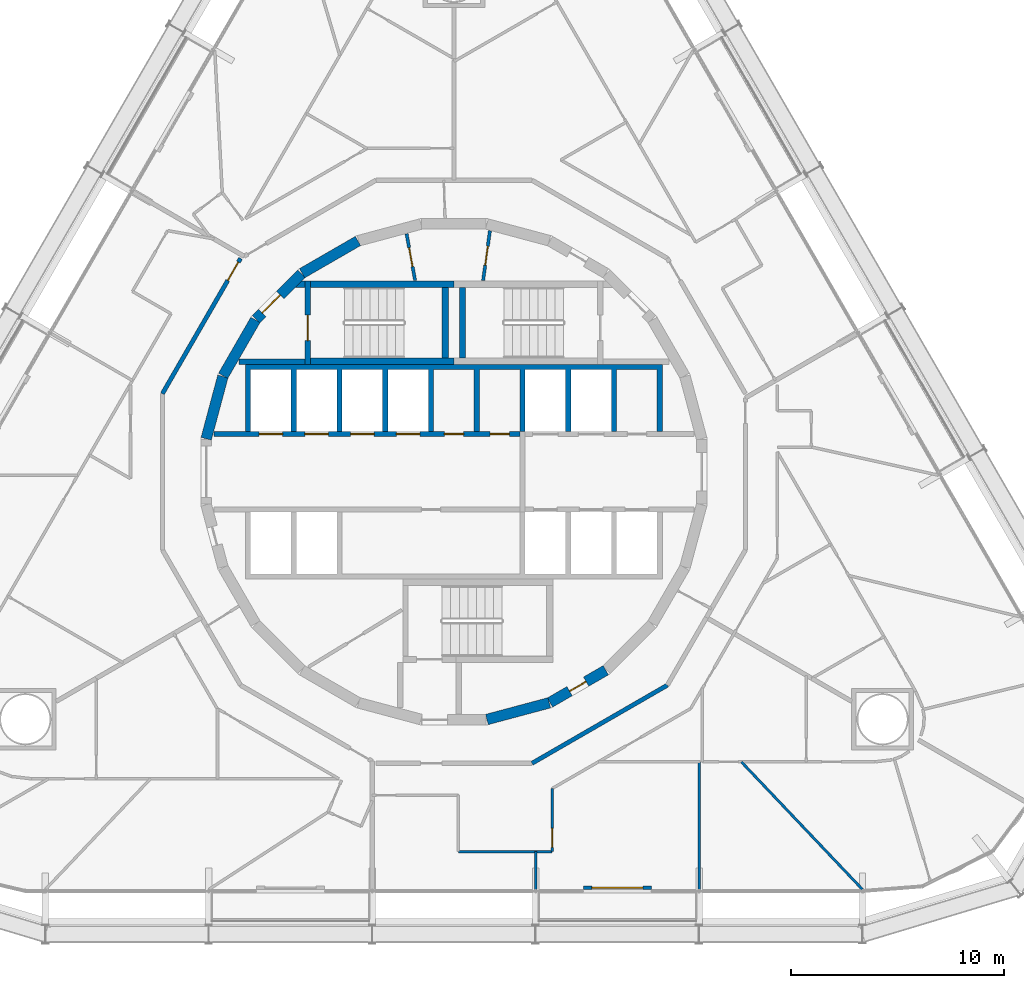
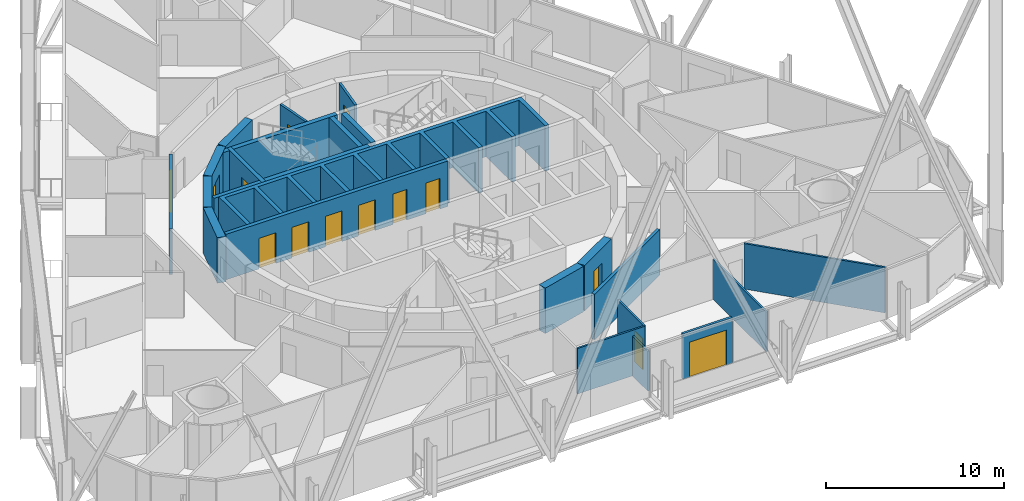
# One storey, part 17 of 22: 25 walls, 14 doors, 14 openings.
"""IFC4 building model written with IfcOpenShell, lengths in metres."""

from ifc_helpers import new_model, si_unit, direction, frame, frame_2d, origin, place, context, subcontext, project, spatial, polyline, rectangle, outline, extrude, material, layer, layer_set, type_object, element, fill, save


model = new_model("IFC4")

# Units and contexts
model_context = context("Model", 3, precision=1e-05, world=origin(), true_north=direction((0.0, 1.0)))
body_context = subcontext(model_context, "Body", "Model", "MODEL_VIEW")
ifc_project = project(units=[si_unit("LENGTHUNIT", "METRE"), si_unit("AREAUNIT", "SQUARE_METRE"), si_unit("VOLUMEUNIT", "CUBIC_METRE"), si_unit("PLANEANGLEUNIT", "RADIAN"), si_unit("MASSUNIT", "GRAM", prefix="KILO")], contexts=[model_context])

# Site, building, storey
site_placement = place(None, origin())
site = spatial("IfcSite", under=ifc_project, at=site_placement, CompositionType="ELEMENT")
building_placement = place(site_placement, origin())
building = spatial("IfcBuilding", under=site, at=building_placement, Name="Spindle Arch Residences", CompositionType="ELEMENT")
storey_placement = place(building_placement, frame((0.0, 0.0, 52.39990234375)))
storey = spatial("IfcBuildingStorey", under=building, at=storey_placement, Name="L11", CompositionType="ELEMENT", Elevation=52.39990234375)

# Wall
ifc_material_1 = material(Name="Concrete C50/60", Category="concrete")
ifc_layer_1 = layer(ifc_material_1, 0.5)
ifc_layer_set_1 = layer_set([ifc_layer_1], Name="Core outline wall 500")
wall_type_1 = type_object("IfcWallType", Name="Core outline wall 500", PredefinedType="SHEAR", material=ifc_layer_set_1)
wall_1_placement = place(storey_placement, frame((1.5498046875, -11.642822265625, 0.0), z_axis=(0.0, 0.0, 1.0), x_axis=(0.965948410781, 0.258734743916, 0.0)))
element("IfcWall", 1, at=wall_1_placement, inside=storey, type_object=wall_type_1, Name="Core outline wall 1", PredefinedType="SHEAR", context=body_context, shape_type="SweptSolid", body=[
    extrude(rectangle(XDim=3.03271484375, YDim=0.5, at=frame_2d((1.516357421875, 0.0))), origin(), (0.0, 0.0, 1.0), 3.1201171875),
])

# Wall, opening, door
wall_2_placement = place(storey_placement, frame((4.510498046875, -10.84521484375, 0.0), z_axis=(0.0, 0.0, 1.0), x_axis=(0.865975092491, 0.500087131594, 0.0)))
wall_2 = element("IfcWall", 2, at=wall_2_placement, inside=storey, type_object=wall_type_1, Name="Core outline wall 2", PredefinedType="SHEAR", context=body_context, shape_type="SweptSolid", body=[
    extrude(rectangle(XDim=3.03271484375, YDim=0.5, at=frame_2d((1.516357421875, 0.0))), origin(), (0.0, 0.0, 1.0), 3.1201171875),
])
opening_1_placement = place(wall_2_placement, frame((1.06640625, 0.0, 0.0)))
opening_1 = element("IfcOpeningElement", 3, at=opening_1_placement, cuts=wall_2, Name="Opening R1B0-WD08", PredefinedType="OPENING", context=body_context, shape_type="SweptSolid", body=[
    extrude(rectangle(XDim=0.89990234375, YDim=2.10009765625, at=frame_2d((0.449951171875, 1.050048828125))), frame((0.0, 0.260009765625, 0.0), z_axis=(0.0, -1.0, 0.0), x_axis=(1.0, 0.0, 0.0)), (0.0, 0.0, 1.0), 0.52001953125),
])
ifc_material_2 = material(Name="Steel, fire-resisting door", Category="steel")
door_type_1 = type_object("IfcDoorType", Name="Service room door 900x2100", OperationType="SINGLE_SWING_LEFT", PredefinedType="DOOR", material=ifc_material_2)
door_1_placement = place(opening_1_placement, origin())
door_1 = element("IfcDoor", 4, at=door_1_placement, inside=storey, type_object=door_type_1, Name="Service room door R1B0-WD08", OperationType="SINGLE_SWING_LEFT", OverallHeight=2.10009765625, OverallWidth=0.89990234375, PredefinedType="DOOR", context=body_context, shape_type="SweptSolid", body=[
    extrude(rectangle(XDim=0.89990234375, YDim=2.10009765625, at=frame_2d((0.449951171875, 1.050048828125))), frame((0.0, 0.02490234375, 0.0), z_axis=(0.0, -1.0, 0.0), x_axis=(1.0, 0.0, 0.0)), (0.0, 0.0, 1.0), 0.050048828125),
])
fill(opening_1, door_1)

# Wall
wall_3_placement = place(storey_placement, frame((-4.510498046875, 10.84521484375, 0.0), z_axis=(0.0, 0.0, 1.0), x_axis=(-0.865975092491, -0.500087131594, 0.0)))
element("IfcWall", 5, at=wall_3_placement, inside=storey, type_object=wall_type_1, Name="Core outline wall 14", PredefinedType="SHEAR", context=body_context, shape_type="SweptSolid", body=[
    extrude(rectangle(XDim=3.03271484375, YDim=0.5, at=frame_2d((1.516357421875, 0.0))), origin(), (0.0, 0.0, 1.0), 3.1201171875),
])

# Wall, opening, door
wall_4_placement = place(storey_placement, frame((-7.163818359375, 9.30810546875, 0.0), z_axis=(0.0, 0.0, 1.0), x_axis=(-0.707106781187, -0.707106781187, 0.0)))
wall_4 = element("IfcWall", 6, at=wall_4_placement, inside=storey, type_object=wall_type_1, Name="Core outline wall 15", PredefinedType="SHEAR", context=body_context, shape_type="SweptSolid", body=[
    extrude(rectangle(XDim=3.032470703125, YDim=0.5, at=frame_2d((1.51611328125, 0.0))), origin(), (0.0, 0.0, 1.0), 3.1201171875),
])
opening_2_placement = place(wall_4_placement, frame((1.416259765625, 0.0, 0.0)))
opening_2 = element("IfcOpeningElement", 7, at=opening_2_placement, cuts=wall_4, Name="Opening R1B0-AD02", PredefinedType="OPENING", context=body_context, shape_type="SweptSolid", body=[
    extrude(rectangle(XDim=1.199951171875, YDim=2.10009765625, at=frame_2d((0.60009765625, 1.050048828125))), frame((0.0, 0.260009765625, 0.0), z_axis=(0.0, -1.0, 0.0), x_axis=(1.0, 0.0, 0.0)), (0.0, 0.0, 1.0), 0.52001953125),
])
ifc_material_3 = material(Name="Steel, fire-resisting door", Category="steel")
door_type_2 = type_object("IfcDoorType", Name="Stair airlock door 1200x2100", OperationType="SINGLE_SWING_LEFT", PredefinedType="DOOR", material=ifc_material_3)
door_2_placement = place(opening_2_placement, origin())
door_2 = element("IfcDoor", 8, at=door_2_placement, inside=storey, type_object=door_type_2, Name="Stair airlock door R1B0-AD02", OperationType="SINGLE_SWING_RIGHT", OverallHeight=2.10009765625, OverallWidth=1.199951171875, PredefinedType="DOOR", context=body_context, shape_type="SweptSolid", body=[
    extrude(rectangle(XDim=1.199951171875, YDim=2.10009765625, at=frame_2d((0.60009765625, 1.050048828125))), frame((0.0, 0.02490234375, 0.0), z_axis=(0.0, -1.0, 0.0), x_axis=(1.0, 0.0, 0.0)), (0.0, 0.0, 1.0), 0.050048828125),
])
fill(opening_2, door_2)

# Walls
for number, where, z_axis, x_axis, name in (
    (9, (-9.32861328125, 7.13671875, 0.0), (0.0, 0.0, 1.0), (-0.500087131594, -0.865975092491, 0.0), "Core outline wall 16"),
    (10, (-10.858154296875, 4.479248046875, 0.0), (0.0, 0.0, 1.0), (-0.258734743916, -0.965948410781, 0.0), "Core outline wall 17"),
):
    element("IfcWall", number, at=place(storey_placement, frame(where, z_axis=z_axis, x_axis=x_axis)), inside=storey, type_object=wall_type_1, Name=name, PredefinedType="SHEAR", context=body_context, shape_type="SweptSolid", body=[
        extrude(rectangle(XDim=3.03271484375, YDim=0.5, at=frame_2d((1.516357421875, 0.0))), origin(), (0.0, 0.0, 1.0), 3.1201171875),
    ])

# Wall, opening, door
ifc_material_4 = material(Name="Calcium silicate block, plastered")
ifc_layer_2 = layer(ifc_material_4, 0.199951171875)
ifc_layer_set_2 = layer_set([ifc_layer_2], Name="Corridor wall 200")
wall_type_2 = type_object("IfcWallType", Name="Corridor wall 200", PredefinedType="STANDARD", material=ifc_layer_set_2)
wall_5_placement = place(storey_placement, frame((-10.029052734375, 10.029052734375, 0.0), z_axis=(0.0, 0.0, 1.0), x_axis=(-0.500001669485, -0.866024439905, 0.0)))
wall_5 = element("IfcWall", 11, at=wall_5_placement, inside=storey, type_object=wall_type_2, Name="Corridor wall R1B0-W010", PredefinedType="STANDARD", context=body_context, shape_type="SweptSolid", body=[
    extrude(rectangle(XDim=7.341796875, YDim=0.199951171875, at=frame_2d((3.6708984375, 0.0))), origin(), (0.0, 0.0, 1.0), 3.1201171875),
])
opening_3_placement = place(wall_5_placement, frame((0.199951171875, 0.0, 0.0)))
opening_3 = element("IfcOpeningElement", 12, at=opening_3_placement, cuts=wall_5, Name="Opening R1B0-FD03", PredefinedType="OPENING", context=body_context, shape_type="SweptSolid", body=[
    extrude(rectangle(XDim=1.0, YDim=2.10009765625, at=frame_2d((0.5, 1.050048828125))), frame((0.0, 0.10986328125, 0.0), z_axis=(0.0, -1.0, 0.0), x_axis=(1.0, 0.0, 0.0)), (0.0, 0.0, 1.0), 0.219970703125),
])
ifc_material_5 = material(Name="Timber, fire-resisting door set", Category="wood")
door_type_3 = type_object("IfcDoorType", Name="Flat entrance door 1000x2100", OperationType="NOTDEFINED", PredefinedType="DOOR", material=ifc_material_5)
door_3_placement = place(opening_3_placement, origin())
door_3 = element("IfcDoor", 13, at=door_3_placement, inside=storey, type_object=door_type_3, Name="Flat entrance door R1B0-FD03", OperationType="SINGLE_SWING_LEFT", OverallHeight=2.10009765625, OverallWidth=1.0, PredefinedType="DOOR", context=body_context, shape_type="SweptSolid", body=[
    extrude(rectangle(XDim=1.0, YDim=2.10009765625, at=frame_2d((0.5, 1.050048828125))), frame((0.0, 0.02490234375, 0.0), z_axis=(0.0, -1.0, 0.0), x_axis=(1.0, 0.0, 0.0)), (0.0, 0.0, 1.0), 0.050048828125),
])
fill(opening_3, door_3)

# Walls
wall_6_placement = place(storey_placement, frame((3.6708984375, -13.699951171875, 0.0), z_axis=(0.0, 0.0, 1.0), x_axis=(0.866024439905, 0.500001669485, 0.0)))
element("IfcWall", 14, at=wall_6_placement, inside=storey, type_object=wall_type_2, Name="Corridor wall R1B0-W015", PredefinedType="STANDARD", context=body_context, shape_type="SweptSolid", body=[
    extrude(rectangle(XDim=7.341796875, YDim=0.199951171875, at=frame_2d((3.6708984375, 0.0))), origin(), (0.0, 0.0, 1.0), 3.1201171875),
])
ifc_material_6 = material(Name="Plasterboard on steel studs", Category="steel")
ifc_layer_3 = layer(ifc_material_6, 0.1201171875)
ifc_layer_set_3 = layer_set([ifc_layer_3], Name="Flat partition 120")
wall_type_3 = type_object("IfcWallType", Name="Flat partition 120", PredefinedType="PARTITIONING", material=ifc_layer_set_3)
wall_7_placement = place(storey_placement, frame((0.21240234375, -17.853271484375, 0.0), z_axis=(0.0, 0.0, 1.0), x_axis=(1.0, 0.0, 0.0)))
element("IfcWall", 15, at=wall_7_placement, inside=storey, type_object=wall_type_3, Name="Flat partition R1B0-W096", PredefinedType="PARTITIONING", context=body_context, shape_type="SweptSolid", body=[
    extrude(rectangle(XDim=4.400146484375, YDim=0.1201171875, at=frame_2d((2.2001953125, 0.0))), origin(), (0.0, 0.0, 1.0), 3.1201171875),
])

# Wall, opening, door
wall_8_placement = place(storey_placement, frame((4.612548828125, -17.853271484375, 0.0), z_axis=(0.0, 0.0, 1.0), x_axis=(0.0, 1.0, 0.0)))
wall_8 = element("IfcWall", 16, at=wall_8_placement, inside=storey, type_object=wall_type_3, Name="Flat partition R1B0-W097", PredefinedType="PARTITIONING", context=body_context, shape_type="SweptSolid", body=[
    extrude(rectangle(XDim=2.96484375, YDim=0.1201171875, at=frame_2d((1.482421875, 0.0))), origin(), (0.0, 0.0, 1.0), 3.1201171875),
])
opening_4_placement = place(wall_8_placement, frame((0.199951171875, 0.0, 0.0)))
opening_4 = element("IfcOpeningElement", 17, at=opening_4_placement, cuts=wall_8, Name="Opening R1B0-ID25", PredefinedType="OPENING", context=body_context, shape_type="SweptSolid", body=[
    extrude(rectangle(XDim=0.89990234375, YDim=2.10009765625, at=frame_2d((0.449951171875, 1.050048828125))), frame((0.0, 0.070068359375, 0.0), z_axis=(0.0, -1.0, 0.0), x_axis=(1.0, 0.0, 0.0)), (0.0, 0.0, 1.0), 0.14013671875),
])
ifc_material_7 = material(Name="Timber door set", Category="wood")
door_type_4 = type_object("IfcDoorType", Name="Room door 900x2100", OperationType="NOTDEFINED", PredefinedType="DOOR", material=ifc_material_7)
door_4_placement = place(opening_4_placement, origin())
door_4 = element("IfcDoor", 18, at=door_4_placement, inside=storey, type_object=door_type_4, Name="Room door R1B0-ID25", OperationType="SINGLE_SWING_RIGHT", OverallHeight=2.10009765625, OverallWidth=0.89990234375, PredefinedType="DOOR", context=body_context, shape_type="SweptSolid", body=[
    extrude(rectangle(XDim=0.89990234375, YDim=2.10009765625, at=frame_2d((0.449951171875, 1.050048828125))), frame((0.0, 0.02490234375, 0.0), z_axis=(0.0, -1.0, 0.0), x_axis=(1.0, 0.0, 0.0)), (0.0, 0.0, 1.0), 0.050048828125),
])
fill(opening_4, door_4)

# Walls
wall_9_placement = place(storey_placement, frame((19.2001953125, -19.6298828125, 0.0), z_axis=(0.0, 0.0, 1.0), x_axis=(-0.688544699396, 0.72519390299, 0.0)))
element("IfcWall", 19, at=wall_9_placement, inside=storey, type_object=wall_type_3, Name="Flat partition R1B0-W104", PredefinedType="PARTITIONING", context=body_context, shape_type="SweptSolid", body=[
    extrude(rectangle(XDim=8.273681640625, YDim=0.1201171875, at=frame_2d((4.13671875, 0.0))), origin(), (0.0, 0.0, 1.0), 3.1201171875),
])
ifc_material_8 = material(Name="Plasterboard on steel studs", Category="steel")
ifc_layer_4 = layer(ifc_material_8, 0.1201171875)
ifc_layer_set_4 = layer_set([ifc_layer_4], Name="Flat partition 120 under beam 2730")
wall_type_4 = type_object("IfcWallType", Name="Flat partition 120 under beam 2730", PredefinedType="PARTITIONING", material=ifc_layer_set_4)
wall_10_placement = place(storey_placement, frame((3.840087890625, -19.6298828125, 0.0), z_axis=(0.0, 0.0, 1.0), x_axis=(0.0, 1.0, 0.0)))
element("IfcWall", 20, at=wall_10_placement, inside=storey, type_object=wall_type_4, Name="Flat partition R1B0-W100", PredefinedType="PARTITIONING", context=body_context, shape_type="SweptSolid", body=[
    extrude(rectangle(XDim=1.776611328125, YDim=0.1201171875, at=frame_2d((0.88818359375, 0.0))), origin(), (0.0, 0.0, 1.0), 2.72998046875),
])
wall_11_placement = place(storey_placement, frame((11.52001953125, -19.6298828125, 0.0), z_axis=(0.0, 0.0, 1.0), x_axis=(0.0, 1.0, 0.0)))
element("IfcWall", 21, at=wall_11_placement, inside=storey, type_object=wall_type_4, Name="Flat partition R1B0-W102", PredefinedType="PARTITIONING", context=body_context, shape_type="SweptSolid", body=[
    extrude(rectangle(XDim=6.0, YDim=0.1201171875, at=frame_2d((3.0, 0.0))), origin(), (0.0, 0.0, 1.0), 2.72998046875),
])

# Wall, opening, door
ifc_material_9 = material(Name="Non-combustible mineral wool insulated aluminium faced external wall (K0)", Category="aluminium")
ifc_layer_5 = layer(ifc_material_9, 0.159912109375)
ifc_layer_set_5 = layer_set([ifc_layer_5], Name="Insulated external wall panel 160")
wall_type_5 = type_object("IfcWallType", Name="Insulated external wall panel 160", PredefinedType="STANDARD", material=ifc_layer_set_5)
wall_12_placement = place(storey_placement, frame((6.080078125, -19.5498046875, 0.0), z_axis=(0.0, 0.0, 1.0), x_axis=(1.0, 0.0, 0.0)))
wall_12 = element("IfcWall", 22, at=wall_12_placement, inside=storey, type_object=wall_type_5, Name="External wall L11 bay 1", PredefinedType="STANDARD", context=body_context, shape_type="SweptSolid", body=[
    extrude(rectangle(XDim=3.199951171875, YDim=0.159912109375, at=frame_2d((1.60009765625, 0.0))), origin(), (0.0, 0.0, 1.0), 3.1201171875),
])
opening_5_placement = place(wall_12_placement, frame((0.39990234375, 0.0, 0.0)))
opening_5 = element("IfcOpeningElement", 23, at=opening_5_placement, cuts=wall_12, Name="Opening BD01", PredefinedType="OPENING", context=body_context, shape_type="SweptSolid", body=[
    extrude(rectangle(XDim=2.39990234375, YDim=2.39990234375, at=frame_2d((1.199951171875, 1.199951171875))), frame((0.0, 0.08984375, 0.0), z_axis=(0.0, -1.0, 0.0), x_axis=(1.0, 0.0, 0.0)), (0.0, 0.0, 1.0), 0.179931640625),
])
ifc_material_10 = material(Name="Bronze aluminium frame, tinted double glazing", Category="aluminium")
door_type_5 = type_object("IfcDoorType", Name="Sliding glazed balcony door 2400x2400", OperationType="DOUBLE_DOOR_SLIDING", PredefinedType="DOOR", material=ifc_material_10)
door_5_placement = place(opening_5_placement, origin())
door_5 = element("IfcDoor", 24, at=door_5_placement, inside=storey, type_object=door_type_5, Name="Balcony door BD01", OperationType="DOUBLE_DOOR_SLIDING", OverallHeight=2.39990234375, OverallWidth=2.39990234375, PredefinedType="DOOR", context=body_context, shape_type="SweptSolid", body=[
    extrude(rectangle(XDim=2.39990234375, YDim=2.39990234375, at=frame_2d((1.199951171875, 1.199951171875))), frame((0.0, 0.02490234375, 0.0), z_axis=(0.0, -1.0, 0.0), x_axis=(1.0, 0.0, 0.0)), (0.0, 0.0, 1.0), 0.050048828125),
])
fill(opening_5, door_5)

# Wall, openings, doors
ifc_material_11 = material(Name="Concrete C50/60", Category="concrete")
ifc_layer_6 = layer(ifc_material_11, 0.25)
ifc_layer_set_6 = layer_set([ifc_layer_6], Name="Lift shaft wall 250")
wall_type_6 = type_object("IfcWallType", Name="Lift shaft wall 250", PredefinedType="SHEAR", material=ifc_layer_set_6)
wall_13_placement = place(storey_placement, frame((-11.280029296875, 1.77490234375, 0.0), z_axis=(0.0, 0.0, 1.0), x_axis=(1.0, 0.0, 0.0)))
wall_13 = element("IfcWall", 25, at=wall_13_placement, inside=storey, type_object=wall_type_6, Name="Lift shaft front wall NW", PredefinedType="SHEAR", context=body_context, shape_type="SweptSolid", body=[
    extrude(rectangle(XDim=14.380126953125, YDim=0.25, at=frame_2d((7.18994140625, 0.0))), origin(), (0.0, 0.0, 1.0), 3.1201171875),
])
opening_6_placement = place(wall_13_placement, frame((2.1298828125, 0.0, 0.0)))
opening_6 = element("IfcOpeningElement", 26, at=opening_6_placement, cuts=wall_13, Name="Opening R1B0-LD01", PredefinedType="OPENING", context=body_context, shape_type="SweptSolid", body=[
    extrude(rectangle(XDim=1.10009765625, YDim=2.10009765625, at=frame_2d((0.550048828125, 1.050048828125))), frame((0.0, 0.135009765625, 0.0), z_axis=(0.0, -1.0, 0.0), x_axis=(1.0, 0.0, 0.0)), (0.0, 0.0, 1.0), 0.27001953125),
])
opening_7_placement = place(wall_13_placement, frame((4.280029296875, 0.0, 0.0)))
opening_7 = element("IfcOpeningElement", 27, at=opening_7_placement, cuts=wall_13, Name="Opening R1B0-LD02", PredefinedType="OPENING", context=body_context, shape_type="SweptSolid", body=[
    extrude(rectangle(XDim=1.10009765625, YDim=2.10009765625, at=frame_2d((0.550048828125, 1.050048828125))), frame((0.0, 0.135009765625, 0.0), z_axis=(0.0, -1.0, 0.0), x_axis=(1.0, 0.0, 0.0)), (0.0, 0.0, 1.0), 0.27001953125),
])
opening_8_placement = place(wall_13_placement, frame((6.429931640625, 0.0, 0.0)))
opening_8 = element("IfcOpeningElement", 28, at=opening_8_placement, cuts=wall_13, Name="Opening R1B0-LD03", PredefinedType="OPENING", context=body_context, shape_type="SweptSolid", body=[
    extrude(rectangle(XDim=1.10009765625, YDim=2.10009765625, at=frame_2d((0.550048828125, 1.050048828125))), frame((0.0, 0.135009765625, 0.0), z_axis=(0.0, -1.0, 0.0), x_axis=(1.0, 0.0, 0.0)), (0.0, 0.0, 1.0), 0.27001953125),
])
opening_9_placement = place(wall_13_placement, frame((8.580078125, 0.0, 0.0)))
opening_9 = element("IfcOpeningElement", 29, at=opening_9_placement, cuts=wall_13, Name="Opening R1B0-LD04", PredefinedType="OPENING", context=body_context, shape_type="SweptSolid", body=[
    extrude(rectangle(XDim=1.10009765625, YDim=2.10009765625, at=frame_2d((0.550048828125, 1.050048828125))), frame((0.0, 0.135009765625, 0.0), z_axis=(0.0, -1.0, 0.0), x_axis=(1.0, 0.0, 0.0)), (0.0, 0.0, 1.0), 0.27001953125),
])
opening_10_placement = place(wall_13_placement, frame((10.830078125, 0.0, 0.0)))
opening_10 = element("IfcOpeningElement", 30, at=opening_10_placement, cuts=wall_13, Name="Opening R1B0-WD01", PredefinedType="OPENING", context=body_context, shape_type="SweptSolid", body=[
    extrude(rectangle(XDim=0.89990234375, YDim=2.10009765625, at=frame_2d((0.449951171875, 1.050048828125))), frame((0.0, 0.135009765625, 0.0), z_axis=(0.0, -1.0, 0.0), x_axis=(1.0, 0.0, 0.0)), (0.0, 0.0, 1.0), 0.27001953125),
])
opening_11_placement = place(wall_13_placement, frame((12.97998046875, 0.0, 0.0)))
opening_11 = element("IfcOpeningElement", 31, at=opening_11_placement, cuts=wall_13, Name="Opening R1B0-WD02", PredefinedType="OPENING", context=body_context, shape_type="SweptSolid", body=[
    extrude(rectangle(XDim=0.89990234375, YDim=2.10009765625, at=frame_2d((0.449951171875, 1.050048828125))), frame((0.0, 0.135009765625, 0.0), z_axis=(0.0, -1.0, 0.0), x_axis=(1.0, 0.0, 0.0)), (0.0, 0.0, 1.0), 0.27001953125),
])
ifc_material_12 = material(Name="Steel, fire-resisting landing door", Category="steel")
door_type_6 = type_object("IfcDoorType", Name="Lift landing door 1100x2100", OperationType="DOUBLE_DOOR_SLIDING", PredefinedType="DOOR", material=ifc_material_12)
door_6_placement = place(opening_6_placement, origin())
door_6 = element("IfcDoor", 32, at=door_6_placement, inside=storey, type_object=door_type_6, Name="Lift landing door R1B0-LD01", OperationType="DOUBLE_DOOR_SLIDING", OverallHeight=2.10009765625, OverallWidth=1.10009765625, PredefinedType="DOOR", context=body_context, shape_type="SweptSolid", body=[
    extrude(rectangle(XDim=1.10009765625, YDim=2.10009765625, at=frame_2d((0.550048828125, 1.050048828125))), frame((0.0, 0.02490234375, 0.0), z_axis=(0.0, -1.0, 0.0), x_axis=(1.0, 0.0, 0.0)), (0.0, 0.0, 1.0), 0.050048828125),
])
fill(opening_6, door_6)
door_7_placement = place(opening_7_placement, origin())
door_7 = element("IfcDoor", 33, at=door_7_placement, inside=storey, type_object=door_type_6, Name="Lift landing door R1B0-LD02", OperationType="DOUBLE_DOOR_SLIDING", OverallHeight=2.10009765625, OverallWidth=1.10009765625, PredefinedType="DOOR", context=body_context, shape_type="SweptSolid", body=[
    extrude(rectangle(XDim=1.10009765625, YDim=2.10009765625, at=frame_2d((0.550048828125, 1.050048828125))), frame((0.0, 0.02490234375, 0.0), z_axis=(0.0, -1.0, 0.0), x_axis=(1.0, 0.0, 0.0)), (0.0, 0.0, 1.0), 0.050048828125),
])
fill(opening_7, door_7)
door_8_placement = place(opening_8_placement, origin())
door_8 = element("IfcDoor", 34, at=door_8_placement, inside=storey, type_object=door_type_6, Name="Lift landing door R1B0-LD03", OperationType="DOUBLE_DOOR_SLIDING", OverallHeight=2.10009765625, OverallWidth=1.10009765625, PredefinedType="DOOR", context=body_context, shape_type="SweptSolid", body=[
    extrude(rectangle(XDim=1.10009765625, YDim=2.10009765625, at=frame_2d((0.550048828125, 1.050048828125))), frame((0.0, 0.02490234375, 0.0), z_axis=(0.0, -1.0, 0.0), x_axis=(1.0, 0.0, 0.0)), (0.0, 0.0, 1.0), 0.050048828125),
])
fill(opening_8, door_8)
door_9_placement = place(opening_9_placement, origin())
door_9 = element("IfcDoor", 35, at=door_9_placement, inside=storey, type_object=door_type_6, Name="Lift landing door R1B0-LD04", OperationType="DOUBLE_DOOR_SLIDING", OverallHeight=2.10009765625, OverallWidth=1.10009765625, PredefinedType="DOOR", context=body_context, shape_type="SweptSolid", body=[
    extrude(rectangle(XDim=1.10009765625, YDim=2.10009765625, at=frame_2d((0.550048828125, 1.050048828125))), frame((0.0, 0.02490234375, 0.0), z_axis=(0.0, -1.0, 0.0), x_axis=(1.0, 0.0, 0.0)), (0.0, 0.0, 1.0), 0.050048828125),
])
fill(opening_9, door_9)
door_10_placement = place(opening_10_placement, origin())
door_10 = element("IfcDoor", 36, at=door_10_placement, inside=storey, type_object=door_type_1, Name="Service room door R1B0-WD01", OperationType="SINGLE_SWING_RIGHT", OverallHeight=2.10009765625, OverallWidth=0.89990234375, PredefinedType="DOOR", context=body_context, shape_type="SweptSolid", body=[
    extrude(rectangle(XDim=0.89990234375, YDim=2.10009765625, at=frame_2d((0.449951171875, 1.050048828125))), frame((0.0, 0.02490234375, 0.0), z_axis=(0.0, -1.0, 0.0), x_axis=(1.0, 0.0, 0.0)), (0.0, 0.0, 1.0), 0.050048828125),
])
fill(opening_10, door_10)
door_11_placement = place(opening_11_placement, origin())
door_11 = element("IfcDoor", 37, at=door_11_placement, inside=storey, type_object=door_type_1, Name="Service room door R1B0-WD02", OperationType="SINGLE_SWING_LEFT", OverallHeight=2.10009765625, OverallWidth=0.89990234375, PredefinedType="DOOR", context=body_context, shape_type="SweptSolid", body=[
    extrude(rectangle(XDim=0.89990234375, YDim=2.10009765625, at=frame_2d((0.449951171875, 1.050048828125))), frame((0.0, 0.02490234375, 0.0), z_axis=(0.0, -1.0, 0.0), x_axis=(1.0, 0.0, 0.0)), (0.0, 0.0, 1.0), 0.050048828125),
])
fill(opening_11, door_11)

# Wall
ifc_material_13 = material(Name="Concrete C50/60", Category="concrete")
wall_type_7 = type_object("IfcWallType", Name="Lift shaft wall profile", PredefinedType="SHEAR", material=ifc_material_13)
wall_14_placement = place(storey_placement, origin())
element("IfcWall", 38, at=wall_14_placement, inside=storey, type_object=wall_type_7, Name="Lift shaft walls N", PredefinedType="SHEAR", context=body_context, shape_type="SweptSolid", body=[
    extrude(outline(polyline([(-9.550048828125, 4.800048828125), (-7.64990234375, 4.800048828125), (-7.64990234375, 1.89990234375), (-7.39990234375, 1.89990234375), (-7.39990234375, 4.800048828125), (-5.5, 4.800048828125), (-5.5, 1.89990234375), (-5.25, 1.89990234375), (-5.25, 4.800048828125), (-3.35009765625, 4.800048828125), (-3.35009765625, 1.89990234375), (-3.10009765625, 1.89990234375), (-3.10009765625, 4.800048828125), (-1.199951171875, 4.800048828125), (-1.199951171875, 1.89990234375), (-0.949951171875, 1.89990234375), (-0.949951171875, 4.800048828125), (0.949951171875, 4.800048828125), (0.949951171875, 1.89990234375), (1.199951171875, 1.89990234375), (1.199951171875, 4.800048828125), (3.10009765625, 4.800048828125), (3.10009765625, 1.89990234375), (3.35009765625, 1.89990234375), (3.35009765625, 4.800048828125), (5.25, 4.800048828125), (5.25, 1.89990234375), (5.5, 1.89990234375), (5.5, 4.800048828125), (7.39990234375, 4.800048828125), (7.39990234375, 1.89990234375), (7.64990234375, 1.89990234375), (7.64990234375, 4.800048828125), (9.550048828125, 4.800048828125), (9.550048828125, 1.89990234375), (9.800048828125, 1.89990234375), (9.800048828125, 4.800048828125), (9.800048828125, 5.050048828125), (-9.800048828125, 5.050048828125), (-9.800048828125, 4.800048828125), (-9.800048828125, 1.89990234375), (-9.550048828125, 1.89990234375), (-9.550048828125, 4.800048828125)])), origin(), (0.0, 0.0, 1.0), 3.1201171875),
])

# Wall, opening, door
ifc_material_14 = material(Name="Concrete C25/30", Category="concrete")
ifc_layer_7 = layer(ifc_material_14, 0.14990234375)
ifc_layer_set_7 = layer_set([ifc_layer_7], Name="Service room partition 150")
wall_type_8 = type_object("IfcWallType", Name="Service room partition 150", PredefinedType="PARTITIONING", material=ifc_layer_set_7)
wall_15_placement = place(storey_placement, frame((1.69091796875, 11.32568359375, 0.0), z_axis=(0.0, 0.0, 1.0), x_axis=(-0.135344253201, -0.990798633994, 0.0)))
wall_15 = element("IfcWall", 39, at=wall_15_placement, inside=storey, type_object=wall_type_8, Name="Core service room partition", PredefinedType="PARTITIONING", context=body_context, shape_type="SweptSolid", body=[
    extrude(rectangle(XDim=2.357666015625, YDim=0.14990234375, at=frame_2d((1.1787109375, 0.0))), origin(), (0.0, 0.0, 1.0), 3.1201171875),
])
opening_12_placement = place(wall_15_placement, frame((0.728759765625, 0.0, 0.0)))
opening_12 = element("IfcOpeningElement", 40, at=opening_12_placement, cuts=wall_15, Name="Opening R1B0-WD06", PredefinedType="OPENING", context=body_context, shape_type="SweptSolid", body=[
    extrude(rectangle(XDim=0.89990234375, YDim=2.10009765625, at=frame_2d((0.449951171875, 1.050048828125))), frame((0.0, 0.0849609375, 0.0), z_axis=(0.0, -1.0, 0.0), x_axis=(1.0, 0.0, 0.0)), (0.0, 0.0, 1.0), 0.169921875),
])
door_12_placement = place(opening_12_placement, origin())
door_12 = element("IfcDoor", 41, at=door_12_placement, inside=storey, type_object=door_type_1, Name="Service room door R1B0-WD06", OperationType="SINGLE_SWING_LEFT", OverallHeight=2.10009765625, OverallWidth=0.89990234375, PredefinedType="DOOR", context=body_context, shape_type="SweptSolid", body=[
    extrude(rectangle(XDim=0.89990234375, YDim=2.10009765625, at=frame_2d((0.449951171875, 1.050048828125))), frame((0.0, 0.02490234375, 0.0), z_axis=(0.0, -1.0, 0.0), x_axis=(1.0, 0.0, 0.0)), (0.0, 0.0, 1.0), 0.050048828125),
])
fill(opening_12, door_12)

wall_16_placement = place(storey_placement, frame((-1.824951171875, 8.98974609375, 0.0), z_axis=(0.0, 0.0, 1.0), x_axis=(-0.179955206115, 0.983674805915, 0.0)))
wall_16 = element("IfcWall", 42, at=wall_16_placement, inside=storey, type_object=wall_type_8, Name="Core service room partition", PredefinedType="PARTITIONING", context=body_context, shape_type="SweptSolid", body=[
    extrude(rectangle(XDim=2.22900390625, YDim=0.14990234375, at=frame_2d((1.114501953125, 0.0))), origin(), (0.0, 0.0, 1.0), 3.1201171875),
])
opening_13_placement = place(wall_16_placement, frame((0.66455078125, 0.0, 0.0)))
opening_13 = element("IfcOpeningElement", 43, at=opening_13_placement, cuts=wall_16, Name="Opening R1B0-WD07", PredefinedType="OPENING", context=body_context, shape_type="SweptSolid", body=[
    extrude(rectangle(XDim=0.89990234375, YDim=2.10009765625, at=frame_2d((0.449951171875, 1.050048828125))), frame((0.0, 0.0849609375, 0.0), z_axis=(0.0, -1.0, 0.0), x_axis=(1.0, 0.0, 0.0)), (0.0, 0.0, 1.0), 0.169921875),
])
door_13_placement = place(opening_13_placement, origin())
door_13 = element("IfcDoor", 44, at=door_13_placement, inside=storey, type_object=door_type_1, Name="Service room door R1B0-WD07", OperationType="SINGLE_SWING_RIGHT", OverallHeight=2.10009765625, OverallWidth=0.89990234375, PredefinedType="DOOR", context=body_context, shape_type="SweptSolid", body=[
    extrude(rectangle(XDim=0.89990234375, YDim=2.10009765625, at=frame_2d((0.449951171875, 1.050048828125))), frame((0.0, 0.02490234375, 0.0), z_axis=(0.0, -1.0, 0.0), x_axis=(1.0, 0.0, 0.0)), (0.0, 0.0, 1.0), 0.050048828125),
])
fill(opening_13, door_13)

# Walls
ifc_material_15 = material(Name="Concrete C40/50", Category="concrete")
ifc_layer_8 = layer(ifc_material_15, 0.25)
ifc_layer_set_8 = layer_set([ifc_layer_8], Name="Stair airlock wall 250")
wall_type_9 = type_object("IfcWallType", Name="Stair airlock wall 250", PredefinedType="SHEAR", material=ifc_layer_set_8)
wall_17_placement = place(storey_placement, frame((-7.0, 5.175048828125, 0.0), z_axis=(0.0, 0.0, 1.0), x_axis=(-1.0, 0.0, 0.0)))
element("IfcWall", 45, at=wall_17_placement, inside=storey, type_object=wall_type_9, Name="Stair ST-2 airlock wall S", PredefinedType="SHEAR", context=body_context, shape_type="SweptSolid", body=[
    extrude(rectangle(XDim=3.10009765625, YDim=0.25, at=frame_2d((1.550048828125, 0.0))), origin(), (0.0, 0.0, 1.0), 3.1201171875),
])
ifc_material_16 = material(Name="Concrete C40/50", Category="concrete")
wall_type_10 = type_object("IfcWallType", Name="Stair airlock wall profile", PredefinedType="SHEAR", material=ifc_material_16)
wall_18_placement = place(storey_placement, origin())
element("IfcWall", 46, at=wall_18_placement, inside=storey, type_object=wall_type_10, Name="Stair ST-2 airlock wall N", PredefinedType="SHEAR", context=body_context, shape_type="SweptSolid", body=[
    extrude(outline(polyline([(-7.148193359375, 8.969970703125), (-7.0, 8.969970703125), (-7.0, 8.669921875), (-7.4482421875, 8.669921875), (-7.148193359375, 8.969970703125)])), origin(), (0.0, 0.0, 1.0), 3.1201171875),
])

# Wall, opening, door
ifc_material_17 = material(Name="Concrete C50/60", Category="concrete")
ifc_layer_9 = layer(ifc_material_17, 0.25)
ifc_layer_set_9 = layer_set([ifc_layer_9], Name="Stair enclosure wall 250")
wall_type_11 = type_object("IfcWallType", Name="Stair enclosure wall 250", PredefinedType="SHEAR", material=ifc_layer_set_9)
wall_19_placement = place(storey_placement, frame((-6.875, 8.969970703125, 0.0), z_axis=(0.0, 0.0, 1.0), x_axis=(0.0, -1.0, 0.0)))
wall_19 = element("IfcWall", 47, at=wall_19_placement, inside=storey, type_object=wall_type_11, Name="Stair ST-2 door wall", PredefinedType="SHEAR", context=body_context, shape_type="SweptSolid", body=[
    extrude(rectangle(XDim=3.919921875, YDim=0.25, at=frame_2d((1.9599609375, 0.0))), origin(), (0.0, 0.0, 1.0), 3.1201171875),
])
opening_14_placement = place(wall_19_placement, frame((1.610107421875, 0.0, 0.0)))
opening_14 = element("IfcOpeningElement", 48, at=opening_14_placement, cuts=wall_19, Name="Opening R1B0-SD02", PredefinedType="OPENING", context=body_context, shape_type="SweptSolid", body=[
    extrude(rectangle(XDim=1.199951171875, YDim=2.10009765625, at=frame_2d((0.60009765625, 1.050048828125))), frame((0.0, 0.135009765625, 0.0), z_axis=(0.0, -1.0, 0.0), x_axis=(1.0, 0.0, 0.0)), (0.0, 0.0, 1.0), 0.27001953125),
])
ifc_material_18 = material(Name="Steel, fire-resisting door", Category="steel")
door_type_7 = type_object("IfcDoorType", Name="Stair door 1200x2100", OperationType="SINGLE_SWING_RIGHT", PredefinedType="DOOR", material=ifc_material_18)
door_14_placement = place(opening_14_placement, origin())
door_14 = element("IfcDoor", 49, at=door_14_placement, inside=storey, type_object=door_type_7, Name="Stair door R1B0-SD02", OperationType="SINGLE_SWING_LEFT", OverallHeight=2.10009765625, OverallWidth=1.199951171875, PredefinedType="DOOR", context=body_context, shape_type="SweptSolid", body=[
    extrude(rectangle(XDim=1.199951171875, YDim=2.10009765625, at=frame_2d((0.60009765625, 1.050048828125))), frame((0.0, 0.02490234375, 0.0), z_axis=(0.0, -1.0, 0.0), x_axis=(1.0, 0.0, 0.0)), (0.0, 0.0, 1.0), 0.050048828125),
])
fill(opening_14, door_14)

# Walls
ifc_material_19 = material(Name="Concrete C50/60", Category="concrete")
ifc_layer_10 = layer(ifc_material_19, 0.300048828125)
ifc_layer_set_10 = layer_set([ifc_layer_10], Name="Stair enclosure wall 300")
wall_type_12 = type_object("IfcWallType", Name="Stair enclosure wall 300", PredefinedType="SHEAR", material=ifc_layer_set_10)
wall_20_placement = place(storey_placement, frame((0.39990234375, 5.35009765625, 0.0), z_axis=(0.0, 0.0, 1.0), x_axis=(0.0, 1.0, 0.0)))
element("IfcWall", 50, at=wall_20_placement, inside=storey, type_object=wall_type_12, Name="Stair ST-1 enclosure wall F", PredefinedType="SHEAR", context=body_context, shape_type="SweptSolid", body=[
    extrude(rectangle(XDim=3.31982421875, YDim=0.300048828125, at=frame_2d((1.659912109375, 0.0))), origin(), (0.0, 0.0, 1.0), 3.1201171875),
])
for number, where, z_axis, x_axis, name in (
    (51, (-6.75, 5.199951171875, 0.0), (0.0, 0.0, 1.0), (1.0, 0.0, 0.0), "Stair ST-2 enclosure wall S"),
    (52, (-6.75, 8.820068359375, 0.0), (0.0, 0.0, 1.0), (1.0, 0.0, 0.0), "Stair ST-2 enclosure wall N"),
):
    element("IfcWall", number, at=place(storey_placement, frame(where, z_axis=z_axis, x_axis=x_axis)), inside=storey, type_object=wall_type_12, Name=name, PredefinedType="SHEAR", context=body_context, shape_type="SweptSolid", body=[
        extrude(rectangle(XDim=6.75, YDim=0.300048828125, at=frame_2d((3.375, 0.0))), origin(), (0.0, 0.0, 1.0), 3.1201171875),
    ])
wall_21_placement = place(storey_placement, frame((-0.39990234375, 5.35009765625, 0.0), z_axis=(0.0, 0.0, 1.0), x_axis=(0.0, 1.0, 0.0)))
element("IfcWall", 53, at=wall_21_placement, inside=storey, type_object=wall_type_12, Name="Stair ST-2 enclosure wall F", PredefinedType="SHEAR", context=body_context, shape_type="SweptSolid", body=[
    extrude(rectangle(XDim=3.31982421875, YDim=0.300048828125, at=frame_2d((1.659912109375, 0.0))), origin(), (0.0, 0.0, 1.0), 3.1201171875),
])

save(model, "model.ifc")
